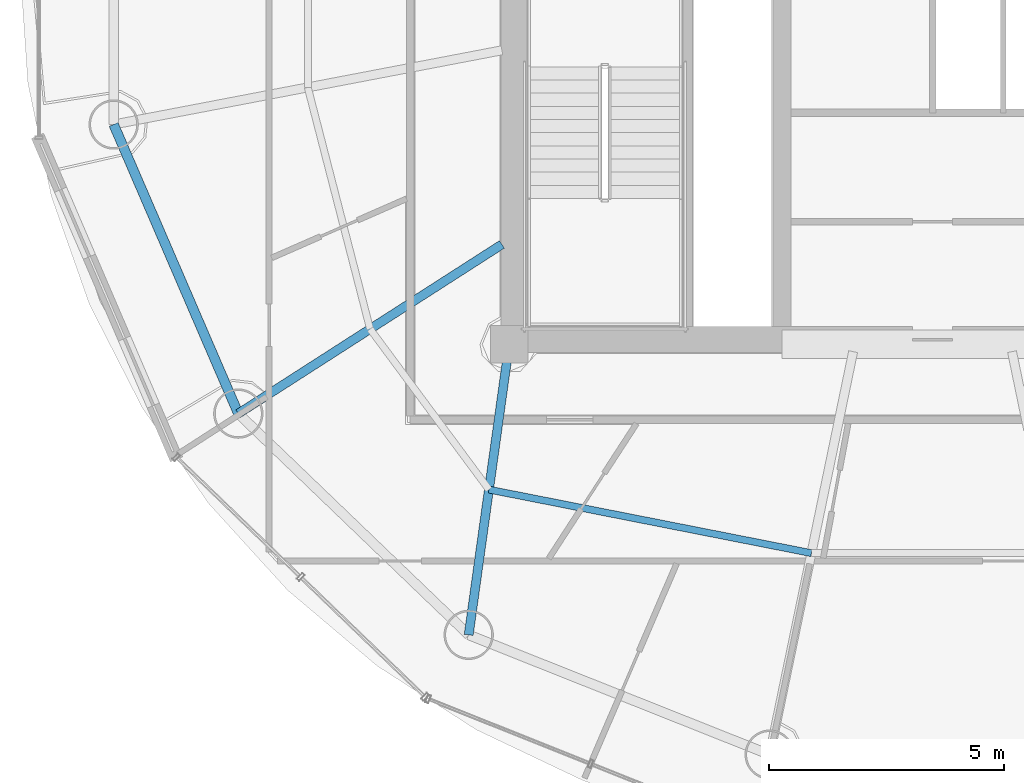
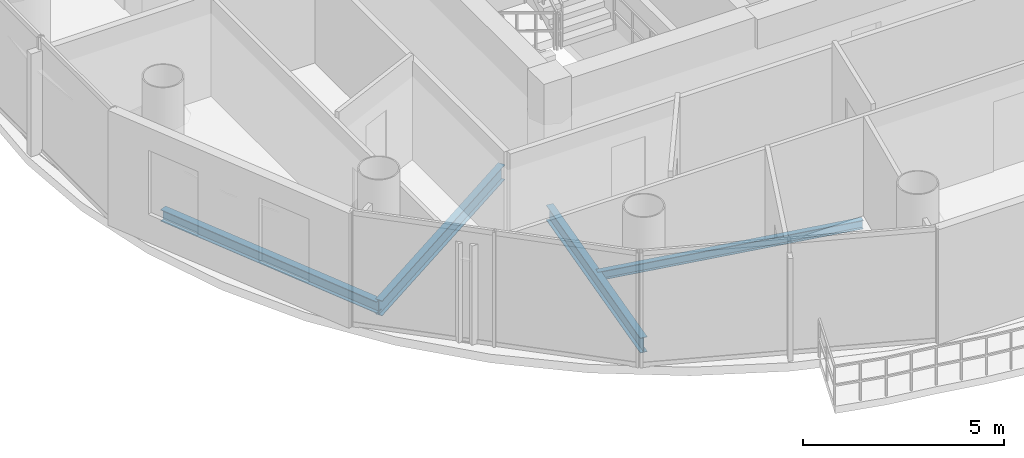
# One storey, part 3 of 24: 4 beams.
"""IFC4 building model written with IfcOpenShell, lengths in metres."""

import ifcopenshell
import ifcopenshell.guid

model = None  # the IFC model being written
_history = None  # IfcOwnerHistory: only IFC2X3 demands one
_inside = {}  # id of a spatial element -> (the spatial element, [elements in it])
_under = {}  # id of a project, library or spatial element -> (it, [spatial elements below it])
_declared = {}  # id of a project -> (the project, [libraries it declares])
_typed = {}  # id of a type object -> (the type object, [elements of that type])
_made_of = {}  # id of a material, layer set ... -> (it, [elements and type objects made of it])


def new_model(schema):
    """Start an empty IFC model of exactly this schema.

    Asked for "IFC4X3", IfcOpenShell would pick the latest addendum, in which some entities
    have other attributes; the version numbers below select the first issue.
    IFC2X3 requires an IfcOwnerHistory on every rooted entity: one is made here for all.
    """
    global model, _history
    if schema == "IFC4X3":
        model = ifcopenshell.file(schema_version=(4, 3, 0, 0))
    else:
        model = ifcopenshell.file(schema=schema)
    _inside.clear()
    _under.clear()
    _declared.clear()
    _typed.clear()
    _made_of.clear()
    _history = None
    if model.schema == "IFC2X3":
        org = make("IfcOrganization", Name="unknown")
        user = make(
            "IfcPersonAndOrganization",
            ThePerson=make("IfcPerson", FamilyName="unknown"),
            TheOrganization=org,
        )
        app = make(
            "IfcApplication",
            ApplicationDeveloper=org,
            Version="unknown",
            ApplicationFullName="unknown",
            ApplicationIdentifier="unknown",
        )
        _history = make(
            "IfcOwnerHistory",
            OwningUser=user,
            OwningApplication=app,
            ChangeAction="ADDED",
            CreationDate=0,
        )
    return model


def make(cls, **values):
    """One entity of the class cls with the attributes given. An attribute that is None is left unset."""
    return model.create_entity(
        cls, **{name: value for name, value in values.items() if value is not None}
    )


def rooted(cls, **values):
    """An entity with a GlobalId (a new one), such as an element, a storey or a relation."""
    return make(cls, GlobalId=ifcopenshell.guid.new(), OwnerHistory=_history, **values)


def si_unit(unit_type, name, prefix=None):
    """IfcSIUnit, for example si_unit("LENGTHUNIT", "METRE", prefix="MILLI")."""
    return make("IfcSIUnit", UnitType=unit_type, Prefix=prefix, Name=name)


def assignment(units):
    """IfcUnitAssignment: the units of a project."""
    return None if units is None else make("IfcUnitAssignment", Units=units)


def point(xyz):
    """IfcCartesianPoint."""
    return None if xyz is None else make("IfcCartesianPoint", Coordinates=xyz)


def direction(xyz):
    """IfcDirection."""
    return None if xyz is None else make("IfcDirection", DirectionRatios=xyz)


def frame(location, z_axis=None, x_axis=None):
    """IfcAxis2Placement3D, a coordinate frame: its origin and axes. An axis left out is left unset."""
    return make(
        "IfcAxis2Placement3D",
        Location=point(location),
        Axis=direction(z_axis),
        RefDirection=direction(x_axis),
    )


def frame_2d(location, x_axis=None):
    """IfcAxis2Placement2D, a coordinate frame in the plane: its origin and x axis."""
    return make(
        "IfcAxis2Placement2D", Location=point(location), RefDirection=direction(x_axis)
    )


def origin():
    """The frame at (0, 0, 0) with its axes left unset."""
    return frame((0.0, 0.0, 0.0))


def origin_2d():
    """The frame at (0, 0) in the plane with its x axis left unset."""
    return frame_2d((0.0, 0.0))


def place(relative_to, where):
    """IfcLocalPlacement: puts the frame where relative to a parent placement (None: the world)."""
    return make(
        "IfcLocalPlacement", PlacementRelTo=relative_to, RelativePlacement=where
    )


def context(
    kind, dimensions, precision=None, world=None, true_north=None, identifier=None
):
    """IfcGeometricRepresentationContext, for example the 3D "Model" context."""
    return make(
        "IfcGeometricRepresentationContext",
        ContextIdentifier=identifier,
        ContextType=kind,
        CoordinateSpaceDimension=dimensions,
        Precision=precision,
        WorldCoordinateSystem=world,
        TrueNorth=true_north,
    )


def subcontext(parent, identifier, kind, view, scale=None):
    """IfcGeometricRepresentationSubContext, for example "Body" below "Model"."""
    return make(
        "IfcGeometricRepresentationSubContext",
        ContextIdentifier=identifier,
        ContextType=kind,
        ParentContext=parent,
        TargetScale=scale,
        TargetView=view,
    )


def project(units=None, contexts=None):
    """IfcProject with its units and contexts."""
    return rooted(
        "IfcProject",
        Name="project",
        RepresentationContexts=contexts,
        UnitsInContext=assignment(units),
    )


def spatial(cls, under=None, at=None, **own):
    """A site, building, storey or space (cls), placed at a placement, below another one or the project."""
    s = rooted(cls, ObjectPlacement=at, **own)
    if under is not None:
        _under.setdefault(under.id(), (under, []))[1].append(s)
    return s


def profile(cls, at=None, kind="AREA", **sizes):
    """A parametric profile (cls). Its sizes go by their IFC names, for example OverallWidth=200.0."""
    return make(cls, ProfileType=kind, Position=at, **sizes)


def i_section(**sizes):
    """IfcIShapeProfileDef."""
    return profile("IfcIShapeProfileDef", **sizes)


def extrude(swept, where, along, depth):
    """IfcExtrudedAreaSolid: the profile swept, set in the frame where, extruded along a direction by depth."""
    return make(
        "IfcExtrudedAreaSolid",
        SweptArea=swept,
        Position=where,
        ExtrudedDirection=direction(along),
        Depth=depth,
    )


def shape(context_of_items, identifier, shape_type, items):
    """IfcShapeRepresentation: the items that make up one representation, for example the "Body"."""
    return make(
        "IfcShapeRepresentation",
        ContextOfItems=context_of_items,
        RepresentationIdentifier=identifier,
        RepresentationType=shape_type,
        Items=items,
    )


def material(Name=None, Category=None):
    """IfcMaterial."""
    return make("IfcMaterial", Name=Name, Category=Category)


def material_profile(
    of_material, cross_section, Name=None, Category=None, Priority=None
):
    """IfcMaterialProfile: a cross section and its material."""
    return make(
        "IfcMaterialProfile",
        Name=Name,
        Material=of_material,
        Profile=cross_section,
        Priority=Priority,
        Category=Category,
    )


def profile_set(profiles, Name=None, composite=None):
    """IfcMaterialProfileSet."""
    return make(
        "IfcMaterialProfileSet",
        Name=Name,
        MaterialProfiles=profiles,
        CompositeProfile=composite,
    )


def made_of(thing, what):
    """Note that an element or type object is made of a material, layer set ...; save() writes the relation."""
    if what is not None:
        _made_of.setdefault(what.id(), (what, []))[1].append(thing)
    return thing


def type_object(cls, material=None, **own):
    """A type object (cls), such as IfcWallType, which elements share."""
    return made_of(rooted(cls, **own), material)


def element(
    cls,
    number,
    at=None,
    inside=None,
    cuts=None,
    type_object=None,
    material=None,
    context=None,
    identifier="Body",
    shape_type=None,
    held_by="IfcProductDefinitionShape",
    body=None,
    shapes=None,
    **own,
):
    """One element of the class cls, such as IfcWall. Its Tag is "e" and its number.

    at: its placement. inside: the storey or other place that contains it. cuts: it is an
    opening in that element (IfcRelVoidsElement). A single representation is given by context,
    identifier, shape_type and body (its items); several are given by shapes. held_by: the class
    of the entity that holds the representations. save() writes the other relations.
    """
    e = rooted(cls, Tag="e%d" % number, ObjectPlacement=at, **own)
    if body is not None:
        shapes = [shape(context, identifier, shape_type, body)]
    if shapes is not None:
        e.Representation = make(held_by, Representations=shapes)
    if inside is not None:
        _inside.setdefault(inside.id(), (inside, []))[1].append(e)
    if cuts is not None:
        rooted(
            "IfcRelVoidsElement", RelatingBuildingElement=cuts, RelatedOpeningElement=e
        )
    if type_object is not None:
        _typed.setdefault(type_object.id(), (type_object, []))[1].append(e)
    return made_of(e, material)


def aggregate(whole, parts):
    """IfcRelAggregates: a whole, such as a stair, and the parts it consists of."""
    return rooted("IfcRelAggregates", RelatingObject=whole, RelatedObjects=parts)


def save(model, path):
    """Write the relations noted so far, then the file.

    IfcRelAggregates (storeys below a building ...), IfcRelContainedInSpatialStructure (elements
    in a storey), IfcRelDefinesByType, IfcRelAssociatesMaterial and IfcRelDeclares: one each for
    every whole, place, type object, material and project.
    """
    for whole, parts in _under.values():
        aggregate(whole, parts)
    for where, things in _inside.values():
        rooted(
            "IfcRelContainedInSpatialStructure",
            RelatedElements=things,
            RelatingStructure=where,
        )
    for kind, things in _typed.values():
        rooted("IfcRelDefinesByType", RelatedObjects=things, RelatingType=kind)
    for what, things in _made_of.values():
        rooted("IfcRelAssociatesMaterial", RelatedObjects=things, RelatingMaterial=what)
    for by, libraries in _declared.values():
        rooted("IfcRelDeclares", RelatingContext=by, RelatedDefinitions=libraries)
    model.write(path)


model = new_model("IFC4")

# Units and contexts
model_context = context("Model", 3, precision=1e-05, world=origin(), true_north=direction((-0.2419218956, 0.970295726276)))
body_context = subcontext(model_context, "Body", "Model", "MODEL_VIEW")
ifc_project = project(units=[si_unit("LENGTHUNIT", "METRE"), si_unit("AREAUNIT", "SQUARE_METRE"), si_unit("VOLUMEUNIT", "CUBIC_METRE"), si_unit("PLANEANGLEUNIT", "RADIAN"), si_unit("MASSUNIT", "GRAM", prefix="KILO")], contexts=[model_context])

# Site, building, storey
site_placement = place(None, origin())
site = spatial("IfcSite", under=ifc_project, at=site_placement, CompositionType="ELEMENT")
building_placement = place(site_placement, origin())
building = spatial("IfcBuilding", under=site, at=building_placement, Name="Cobrevalo Terracotta Tower", CompositionType="ELEMENT")
storey_placement = place(building_placement, frame((0.0, 0.0, 293.199951171875)))
storey = spatial("IfcBuildingStorey", under=building, at=storey_placement, Name="L77", CompositionType="ELEMENT", Elevation=293.199951171875)

# Beams
ifc_material = material(Name="Steel S355", Category="steel")
ifc_material_profile_1 = material_profile(ifc_material, i_section(OverallWidth=0.19091796875, OverallDepth=0.4599609375, WebThickness=0.010009765625, FlangeThickness=0.01611328125, at=origin_2d()), Name="W 460x82")
ifc_profile_set_1 = profile_set([ifc_material_profile_1], Name="Steel S355")
beam_type_1 = type_object("IfcBeamType", Name="Structural Beam W 460x82 (Steel S355)", PredefinedType="BEAM", material=ifc_profile_set_1)
beam_1_placement = place(storey_placement, frame((23.241455078125, 17.32763671875, -0.489990234375), z_axis=(0.84157615512, 0.540138477739, 0.0), x_axis=(-0.540138477739, 0.84157615512, 0.0)))
element("IfcBeam", 1, at=beam_1_placement, inside=storey, type_object=beam_type_1, Name="L77 radial floor girder 10", PredefinedType="BEAM", context=body_context, shape_type="SweptSolid", body=[
    extrude(i_section(OverallWidth=0.19091796875, OverallDepth=0.4599609375, WebThickness=0.010009765625, FlangeThickness=0.01611328125, at=origin_2d()), origin(), (0.0, 0.0, 1.0), 6.658447265625),
])
beam_2_placement = place(storey_placement, frame((28.138671875, 12.62353515625, -0.489990234375), z_axis=(0.138115657759, 0.990416107039, 0.0), x_axis=(-0.990416107039, 0.138115657759, 0.0)))
element("IfcBeam", 2, at=beam_2_placement, inside=storey, type_object=beam_type_1, Name="L77 radial floor girder 11", PredefinedType="BEAM", context=body_context, shape_type="SweptSolid", body=[
    extrude(i_section(OverallWidth=0.19091796875, OverallDepth=0.4599609375, WebThickness=0.010009765625, FlangeThickness=0.01611328125, at=origin_2d()), origin(), (0.0, 0.0, 1.0), 6.236328125),
])
ifc_material_profile_2 = material_profile(ifc_material, i_section(OverallWidth=0.14794921875, OverallDepth=0.26611328125, WebThickness=0.007568359375, FlangeThickness=0.012939453125, at=origin_2d()), Name="W 250x44.8")
ifc_profile_set_2 = profile_set([ifc_material_profile_2], Name="Steel S355")
beam_type_2 = type_object("IfcBeamType", Name="Structural Joist W 250x44.8 (Steel S355)", PredefinedType="JOIST", material=ifc_profile_set_2)
beam_3_placement = place(storey_placement, frame((28.5693359375, 15.711669921875, -0.39306640625), z_axis=(0.981145060421, -0.193272787563, 0.0), x_axis=(0.193272787563, 0.981145060421, 0.0)))
element("IfcBeam", 3, at=beam_3_placement, inside=storey, type_object=beam_type_2, Name="L77 circumferential secondary floor joist 11", PredefinedType="JOIST", context=body_context, shape_type="SweptSolid", body=[
    extrude(i_section(OverallWidth=0.14794921875, OverallDepth=0.26611328125, WebThickness=0.007568359375, FlangeThickness=0.012939453125, at=origin_2d()), origin(), (0.0, 0.0, 1.0), 6.98681640625),
])
ifc_material_profile_3 = material_profile(ifc_material, i_section(OverallWidth=0.205078125, OverallDepth=0.35400390625, WebThickness=0.009521484375, FlangeThickness=0.016845703125, at=origin_2d()), Name="W 360x79")
ifc_profile_set_3 = profile_set([ifc_material_profile_3], Name="Steel S355")
beam_type_3 = type_object("IfcBeamType", Name="Structural Spandrel W 360x79 (Steel S355)", PredefinedType="SPANDREL", material=ifc_profile_set_3)
beam_4_placement = place(storey_placement, frame((20.591064453125, 23.4736328125, -0.43701171875), z_axis=(0.395987390706, -0.918255948198, 0.0), x_axis=(0.918255948198, 0.395987390706, 0.0)))
element("IfcBeam", 4, at=beam_4_placement, inside=storey, type_object=beam_type_3, Name="L77 perimeter ring spandrel 09", PredefinedType="SPANDREL", context=body_context, shape_type="SweptSolid", body=[
    extrude(i_section(OverallWidth=0.205078125, OverallDepth=0.35400390625, WebThickness=0.009521484375, FlangeThickness=0.016845703125, at=origin_2d()), origin(), (0.0, 0.0, 1.0), 6.693115234375),
])

save(model, "model.ifc")
